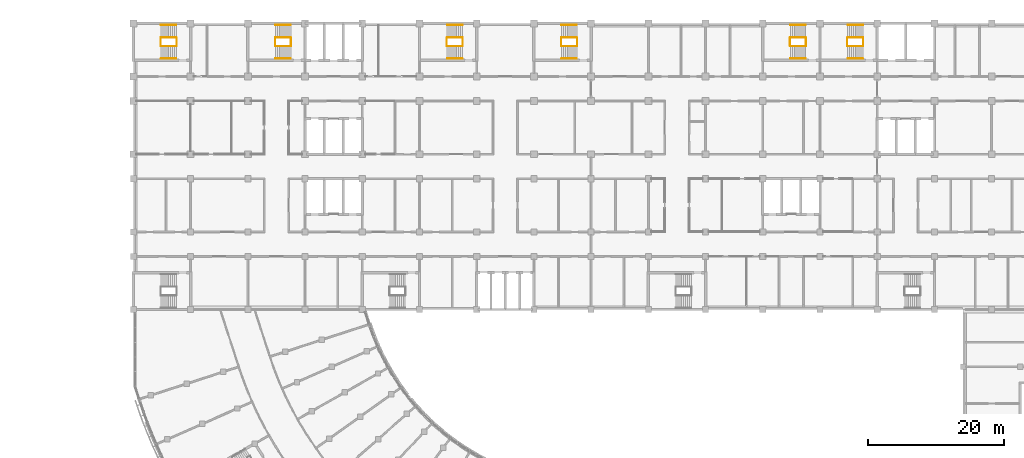
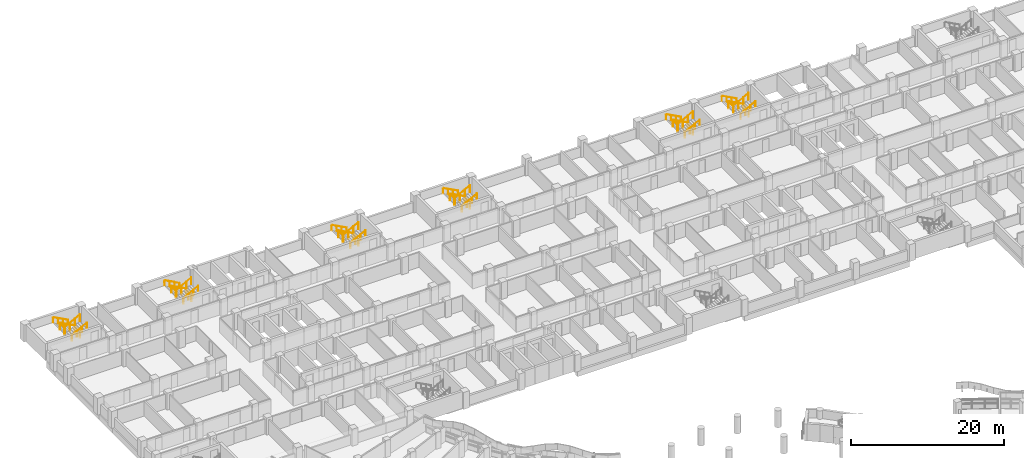
# One storey, part 88 of 89: 36 railings.
"""IFC4 building model written with IfcOpenShell, lengths in metres."""

from ifc_helpers import new_model, si_unit, direction, frame, origin, origin_2d, place, context, subcontext, project, spatial, circle, extrude, material, type_object, element, save


model = new_model("IFC4")

# Units and contexts
model_context = context("Model", 3, precision=1e-05, world=origin(), true_north=direction((0.0, 1.0)))
body_context = subcontext(model_context, "Body", "Model", "MODEL_VIEW")
ifc_project = project(units=[si_unit("LENGTHUNIT", "METRE"), si_unit("AREAUNIT", "SQUARE_METRE"), si_unit("VOLUMEUNIT", "CUBIC_METRE"), si_unit("PLANEANGLEUNIT", "RADIAN"), si_unit("MASSUNIT", "GRAM", prefix="KILO")], contexts=[model_context])

# Site, building, storey
site_placement = place(None, origin())
site = spatial("IfcSite", under=ifc_project, at=site_placement, CompositionType="ELEMENT")
building_placement = place(site_placement, origin())
building = spatial("IfcBuilding", under=site, at=building_placement, Name="Bougainvillea Quay General Hospital", CompositionType="ELEMENT")
storey_placement = place(building_placement, frame((0.0, 0.0, 9.89990234375)))
storey = spatial("IfcBuildingStorey", under=building, at=storey_placement, Name="L01M", CompositionType="ELEMENT", Elevation=9.89990234375)

# Railings
ifc_material_1 = material(Name="Stainless steel 304 balustrade", Category="steel")
railing_type_1 = type_object("IfcRailingType", Name="Stair guard 1100", PredefinedType="GUARDRAIL", material=ifc_material_1)
railing_1_placement = place(storey_placement, frame((65.10009765625, 157.550048828125, 0.150146484375)))
element("IfcRailing", 1, at=railing_1_placement, inside=storey, type_object=railing_type_1, Name="L01M ST-D1 stair guard 1", PredefinedType="GUARDRAIL", context=body_context, shape_type="SweptSolid", body=[
    extrude(circle(Radius=0.02392578125, at=origin_2d()), frame((0.0, 0.0, 1.076171875), z_axis=(-0.881487111273, 0.0, 0.472208081951), x_axis=(0.0, -1.0, 0.0)), (0.0, 0.0, 1.0), 2.541259765625),
    extrude(circle(Radius=0.02099609375, at=origin_2d()), origin(), (0.0, 0.0, 1.0), 1.052001953125),
    extrude(circle(Radius=0.02099609375, at=origin_2d()), frame((-0.74658203125, 0.0, 0.39990234375)), (0.0, 0.0, 1.0), 1.052001953125),
    extrude(circle(Radius=0.02099609375, at=origin_2d()), frame((-1.493408203125, 0.0, 0.800048828125)), (0.0, 0.0, 1.0), 1.052001953125),
    extrude(circle(Radius=0.02099609375, at=origin_2d()), frame((-2.239990234375, 0.0, 1.199951171875)), (0.0, 0.0, 1.0), 1.052001953125),
])
railing_2_placement = place(storey_placement, frame((62.81005859375, 157.5, 1.35009765625)))
element("IfcRailing", 2, at=railing_2_placement, inside=storey, type_object=railing_type_1, Name="L01M ST-D1 stair guard 2", PredefinedType="GUARDRAIL", context=body_context, shape_type="SweptSolid", body=[
    extrude(circle(Radius=0.02392578125, at=origin_2d()), frame((0.0, 0.0, 1.076171875), z_axis=(0.0, -1.0, 0.0), x_axis=(1.0, 0.0, 0.0)), (0.0, 0.0, 1.0), 1.199951171875),
    extrude(circle(Radius=0.02099609375, at=origin_2d()), origin(), (0.0, 0.0, 1.0), 1.052001953125),
    extrude(circle(Radius=0.02099609375, at=origin_2d()), frame((0.0, -1.199951171875, 0.0)), (0.0, 0.0, 1.0), 1.052001953125),
])
railing_3_placement = place(storey_placement, frame((62.860107421875, 156.25, 1.5)))
element("IfcRailing", 3, at=railing_3_placement, inside=storey, type_object=railing_type_1, Name="L01M ST-D1 stair guard 3", PredefinedType="GUARDRAIL", context=body_context, shape_type="SweptSolid", body=[
    extrude(circle(Radius=0.02392578125, at=origin_2d()), frame((0.0, 0.0, 1.076171875), z_axis=(0.881447119201, 0.0, 0.472282728937), x_axis=(0.0, 1.0, 0.0)), (0.0, 0.0, 1.0), 2.541259765625),
    extrude(circle(Radius=0.02099609375, at=origin_2d()), origin(), (0.0, 0.0, 1.0), 1.052001953125),
    extrude(circle(Radius=0.02099609375, at=origin_2d()), frame((0.74658203125, 0.0, 0.400146484375)), (0.0, 0.0, 1.0), 1.052001953125),
    extrude(circle(Radius=0.02099609375, at=origin_2d()), frame((1.493408203125, 0.0, 0.800048828125)), (0.0, 0.0, 1.0), 1.052001953125),
    extrude(circle(Radius=0.02099609375, at=origin_2d()), frame((2.239990234375, 0.0, 1.2001953125)), (0.0, 0.0, 1.0), 1.052001953125),
])
railing_4_placement = place(storey_placement, frame((65.14990234375, 157.5, 0.0)))
element("IfcRailing", 4, at=railing_4_placement, inside=storey, type_object=railing_type_1, Name="L01M ST-D1 stair guard 4", PredefinedType="GUARDRAIL", context=body_context, shape_type="SweptSolid", body=[
    extrude(circle(Radius=0.02392578125, at=origin_2d()), frame((0.0, 0.0, 1.076171875), z_axis=(0.0, -1.0, 0.0), x_axis=(1.0, 0.0, 0.0)), (0.0, 0.0, 1.0), 1.199951171875),
    extrude(circle(Radius=0.02099609375, at=origin_2d()), origin(), (0.0, 0.0, 1.0), 1.052001953125),
    extrude(circle(Radius=0.02099609375, at=origin_2d()), frame((0.0, -1.199951171875, 0.0)), (0.0, 0.0, 1.0), 1.052001953125),
])
railing_5_placement = place(storey_placement, frame((149.10009765625, 157.550048828125, 0.150146484375)))
element("IfcRailing", 5, at=railing_5_placement, inside=storey, type_object=railing_type_1, Name="L01M ST-D3 stair guard 1", PredefinedType="GUARDRAIL", context=body_context, shape_type="SweptSolid", body=[
    extrude(circle(Radius=0.02392578125, at=origin_2d()), frame((0.0, 0.0, 1.076171875), z_axis=(-0.881487111273, 0.0, 0.472208081951), x_axis=(0.0, -1.0, 0.0)), (0.0, 0.0, 1.0), 2.541259765625),
    extrude(circle(Radius=0.02099609375, at=origin_2d()), origin(), (0.0, 0.0, 1.0), 1.052001953125),
    extrude(circle(Radius=0.02099609375, at=origin_2d()), frame((-0.74658203125, 0.0, 0.39990234375)), (0.0, 0.0, 1.0), 1.052001953125),
    extrude(circle(Radius=0.02099609375, at=origin_2d()), frame((-1.493408203125, 0.0, 0.800048828125)), (0.0, 0.0, 1.0), 1.052001953125),
    extrude(circle(Radius=0.02099609375, at=origin_2d()), frame((-2.239990234375, 0.0, 1.199951171875)), (0.0, 0.0, 1.0), 1.052001953125),
])
railing_6_placement = place(storey_placement, frame((146.81005859375, 157.5, 1.35009765625)))
element("IfcRailing", 6, at=railing_6_placement, inside=storey, type_object=railing_type_1, Name="L01M ST-D3 stair guard 2", PredefinedType="GUARDRAIL", context=body_context, shape_type="SweptSolid", body=[
    extrude(circle(Radius=0.02392578125, at=origin_2d()), frame((0.0, 0.0, 1.076171875), z_axis=(0.0, -1.0, 0.0), x_axis=(1.0, 0.0, 0.0)), (0.0, 0.0, 1.0), 1.199951171875),
    extrude(circle(Radius=0.02099609375, at=origin_2d()), origin(), (0.0, 0.0, 1.0), 1.052001953125),
    extrude(circle(Radius=0.02099609375, at=origin_2d()), frame((0.0, -1.199951171875, 0.0)), (0.0, 0.0, 1.0), 1.052001953125),
])
railing_7_placement = place(storey_placement, frame((146.860107421875, 156.25, 1.5)))
element("IfcRailing", 7, at=railing_7_placement, inside=storey, type_object=railing_type_1, Name="L01M ST-D3 stair guard 3", PredefinedType="GUARDRAIL", context=body_context, shape_type="SweptSolid", body=[
    extrude(circle(Radius=0.02392578125, at=origin_2d()), frame((0.0, 0.0, 1.076171875), z_axis=(0.881447119201, 0.0, 0.472282728937), x_axis=(0.0, 1.0, 0.0)), (0.0, 0.0, 1.0), 2.541259765625),
    extrude(circle(Radius=0.02099609375, at=origin_2d()), origin(), (0.0, 0.0, 1.0), 1.052001953125),
    extrude(circle(Radius=0.02099609375, at=origin_2d()), frame((0.74658203125, 0.0, 0.400146484375)), (0.0, 0.0, 1.0), 1.052001953125),
    extrude(circle(Radius=0.02099609375, at=origin_2d()), frame((1.493408203125, 0.0, 0.800048828125)), (0.0, 0.0, 1.0), 1.052001953125),
    extrude(circle(Radius=0.02099609375, at=origin_2d()), frame((2.239990234375, 0.0, 1.2001953125)), (0.0, 0.0, 1.0), 1.052001953125),
])
railing_8_placement = place(storey_placement, frame((149.14990234375, 157.5, 0.0)))
element("IfcRailing", 8, at=railing_8_placement, inside=storey, type_object=railing_type_1, Name="L01M ST-D3 stair guard 4", PredefinedType="GUARDRAIL", context=body_context, shape_type="SweptSolid", body=[
    extrude(circle(Radius=0.02392578125, at=origin_2d()), frame((0.0, 0.0, 1.076171875), z_axis=(0.0, -1.0, 0.0), x_axis=(1.0, 0.0, 0.0)), (0.0, 0.0, 1.0), 1.199951171875),
    extrude(circle(Radius=0.02099609375, at=origin_2d()), origin(), (0.0, 0.0, 1.0), 1.052001953125),
    extrude(circle(Radius=0.02099609375, at=origin_2d()), frame((0.0, -1.199951171875, 0.0)), (0.0, 0.0, 1.0), 1.052001953125),
])
railing_9_placement = place(storey_placement, frame((48.300048828125, 157.550048828125, 0.150146484375)))
element("IfcRailing", 9, at=railing_9_placement, inside=storey, type_object=railing_type_1, Name="L01M ST-A1 stair guard 1", PredefinedType="GUARDRAIL", context=body_context, shape_type="SweptSolid", body=[
    extrude(circle(Radius=0.02392578125, at=origin_2d()), frame((0.0, 0.0, 1.076171875), z_axis=(-0.881487111273, 0.0, 0.472208081951), x_axis=(0.0, -1.0, 0.0)), (0.0, 0.0, 1.0), 2.541259765625),
    extrude(circle(Radius=0.02099609375, at=origin_2d()), origin(), (0.0, 0.0, 1.0), 1.052001953125),
    extrude(circle(Radius=0.02099609375, at=origin_2d()), frame((-0.74658203125, 0.0, 0.39990234375)), (0.0, 0.0, 1.0), 1.052001953125),
    extrude(circle(Radius=0.02099609375, at=origin_2d()), frame((-1.493408203125, 0.0, 0.800048828125)), (0.0, 0.0, 1.0), 1.052001953125),
    extrude(circle(Radius=0.02099609375, at=origin_2d()), frame((-2.239990234375, 0.0, 1.199951171875)), (0.0, 0.0, 1.0), 1.052001953125),
])
railing_10_placement = place(storey_placement, frame((46.010009765625, 157.5, 1.35009765625)))
element("IfcRailing", 10, at=railing_10_placement, inside=storey, type_object=railing_type_1, Name="L01M ST-A1 stair guard 2", PredefinedType="GUARDRAIL", context=body_context, shape_type="SweptSolid", body=[
    extrude(circle(Radius=0.02392578125, at=origin_2d()), frame((0.0, 0.0, 1.076171875), z_axis=(0.0, -1.0, 0.0), x_axis=(1.0, 0.0, 0.0)), (0.0, 0.0, 1.0), 1.199951171875),
    extrude(circle(Radius=0.02099609375, at=origin_2d()), origin(), (0.0, 0.0, 1.0), 1.052001953125),
    extrude(circle(Radius=0.02099609375, at=origin_2d()), frame((0.0, -1.199951171875, 0.0)), (0.0, 0.0, 1.0), 1.052001953125),
])
railing_11_placement = place(storey_placement, frame((46.06005859375, 156.25, 1.5)))
element("IfcRailing", 11, at=railing_11_placement, inside=storey, type_object=railing_type_1, Name="L01M ST-A1 stair guard 3", PredefinedType="GUARDRAIL", context=body_context, shape_type="SweptSolid", body=[
    extrude(circle(Radius=0.02392578125, at=origin_2d()), frame((0.0, 0.0, 1.076171875), z_axis=(0.881447119201, 0.0, 0.472282728937), x_axis=(0.0, 1.0, 0.0)), (0.0, 0.0, 1.0), 2.541259765625),
    extrude(circle(Radius=0.02099609375, at=origin_2d()), origin(), (0.0, 0.0, 1.0), 1.052001953125),
    extrude(circle(Radius=0.02099609375, at=origin_2d()), frame((0.74658203125, 0.0, 0.400146484375)), (0.0, 0.0, 1.0), 1.052001953125),
    extrude(circle(Radius=0.02099609375, at=origin_2d()), frame((1.493408203125, 0.0, 0.800048828125)), (0.0, 0.0, 1.0), 1.052001953125),
    extrude(circle(Radius=0.02099609375, at=origin_2d()), frame((2.239990234375, 0.0, 1.2001953125)), (0.0, 0.0, 1.0), 1.052001953125),
])
railing_12_placement = place(storey_placement, frame((48.35009765625, 157.5, 0.0)))
element("IfcRailing", 12, at=railing_12_placement, inside=storey, type_object=railing_type_1, Name="L01M ST-A1 stair guard 4", PredefinedType="GUARDRAIL", context=body_context, shape_type="SweptSolid", body=[
    extrude(circle(Radius=0.02392578125, at=origin_2d()), frame((0.0, 0.0, 1.076171875), z_axis=(0.0, -1.0, 0.0), x_axis=(1.0, 0.0, 0.0)), (0.0, 0.0, 1.0), 1.199951171875),
    extrude(circle(Radius=0.02099609375, at=origin_2d()), origin(), (0.0, 0.0, 1.0), 1.052001953125),
    extrude(circle(Radius=0.02099609375, at=origin_2d()), frame((0.0, -1.199951171875, 0.0)), (0.0, 0.0, 1.0), 1.052001953125),
])
railing_13_placement = place(storey_placement, frame((90.300048828125, 157.550048828125, 0.150146484375)))
element("IfcRailing", 13, at=railing_13_placement, inside=storey, type_object=railing_type_1, Name="L01M ST-A2 stair guard 1", PredefinedType="GUARDRAIL", context=body_context, shape_type="SweptSolid", body=[
    extrude(circle(Radius=0.02392578125, at=origin_2d()), frame((0.0, 0.0, 1.076171875), z_axis=(-0.881487111273, 0.0, 0.472208081951), x_axis=(0.0, -1.0, 0.0)), (0.0, 0.0, 1.0), 2.541259765625),
    extrude(circle(Radius=0.02099609375, at=origin_2d()), origin(), (0.0, 0.0, 1.0), 1.052001953125),
    extrude(circle(Radius=0.02099609375, at=origin_2d()), frame((-0.74658203125, 0.0, 0.39990234375)), (0.0, 0.0, 1.0), 1.052001953125),
    extrude(circle(Radius=0.02099609375, at=origin_2d()), frame((-1.493408203125, 0.0, 0.800048828125)), (0.0, 0.0, 1.0), 1.052001953125),
    extrude(circle(Radius=0.02099609375, at=origin_2d()), frame((-2.239990234375, 0.0, 1.199951171875)), (0.0, 0.0, 1.0), 1.052001953125),
])
railing_14_placement = place(storey_placement, frame((88.010009765625, 157.5, 1.35009765625)))
element("IfcRailing", 14, at=railing_14_placement, inside=storey, type_object=railing_type_1, Name="L01M ST-A2 stair guard 2", PredefinedType="GUARDRAIL", context=body_context, shape_type="SweptSolid", body=[
    extrude(circle(Radius=0.02392578125, at=origin_2d()), frame((0.0, 0.0, 1.076171875), z_axis=(0.0, -1.0, 0.0), x_axis=(1.0, 0.0, 0.0)), (0.0, 0.0, 1.0), 1.199951171875),
    extrude(circle(Radius=0.02099609375, at=origin_2d()), origin(), (0.0, 0.0, 1.0), 1.052001953125),
    extrude(circle(Radius=0.02099609375, at=origin_2d()), frame((0.0, -1.199951171875, 0.0)), (0.0, 0.0, 1.0), 1.052001953125),
])
railing_15_placement = place(storey_placement, frame((88.06005859375, 156.25, 1.5)))
element("IfcRailing", 15, at=railing_15_placement, inside=storey, type_object=railing_type_1, Name="L01M ST-A2 stair guard 3", PredefinedType="GUARDRAIL", context=body_context, shape_type="SweptSolid", body=[
    extrude(circle(Radius=0.02392578125, at=origin_2d()), frame((0.0, 0.0, 1.076171875), z_axis=(0.881447119201, 0.0, 0.472282728937), x_axis=(0.0, 1.0, 0.0)), (0.0, 0.0, 1.0), 2.541259765625),
    extrude(circle(Radius=0.02099609375, at=origin_2d()), origin(), (0.0, 0.0, 1.0), 1.052001953125),
    extrude(circle(Radius=0.02099609375, at=origin_2d()), frame((0.74658203125, 0.0, 0.400146484375)), (0.0, 0.0, 1.0), 1.052001953125),
    extrude(circle(Radius=0.02099609375, at=origin_2d()), frame((1.493408203125, 0.0, 0.800048828125)), (0.0, 0.0, 1.0), 1.052001953125),
    extrude(circle(Radius=0.02099609375, at=origin_2d()), frame((2.239990234375, 0.0, 1.2001953125)), (0.0, 0.0, 1.0), 1.052001953125),
])
railing_16_placement = place(storey_placement, frame((90.35009765625, 157.5, 0.0)))
element("IfcRailing", 16, at=railing_16_placement, inside=storey, type_object=railing_type_1, Name="L01M ST-A2 stair guard 4", PredefinedType="GUARDRAIL", context=body_context, shape_type="SweptSolid", body=[
    extrude(circle(Radius=0.02392578125, at=origin_2d()), frame((0.0, 0.0, 1.076171875), z_axis=(0.0, -1.0, 0.0), x_axis=(1.0, 0.0, 0.0)), (0.0, 0.0, 1.0), 1.199951171875),
    extrude(circle(Radius=0.02099609375, at=origin_2d()), origin(), (0.0, 0.0, 1.0), 1.052001953125),
    extrude(circle(Radius=0.02099609375, at=origin_2d()), frame((0.0, -1.199951171875, 0.0)), (0.0, 0.0, 1.0), 1.052001953125),
])
railing_17_placement = place(storey_placement, frame((140.699951171875, 157.550048828125, 0.150146484375)))
element("IfcRailing", 17, at=railing_17_placement, inside=storey, type_object=railing_type_1, Name="L01M ST-A3 stair guard 1", PredefinedType="GUARDRAIL", context=body_context, shape_type="SweptSolid", body=[
    extrude(circle(Radius=0.02392578125, at=origin_2d()), frame((0.0, 0.0, 1.076171875), z_axis=(-0.881487111273, 0.0, 0.472208081951), x_axis=(0.0, -1.0, 0.0)), (0.0, 0.0, 1.0), 2.541259765625),
    extrude(circle(Radius=0.02099609375, at=origin_2d()), origin(), (0.0, 0.0, 1.0), 1.052001953125),
    extrude(circle(Radius=0.02099609375, at=origin_2d()), frame((-0.74658203125, 0.0, 0.39990234375)), (0.0, 0.0, 1.0), 1.052001953125),
    extrude(circle(Radius=0.02099609375, at=origin_2d()), frame((-1.493408203125, 0.0, 0.800048828125)), (0.0, 0.0, 1.0), 1.052001953125),
    extrude(circle(Radius=0.02099609375, at=origin_2d()), frame((-2.239990234375, 0.0, 1.199951171875)), (0.0, 0.0, 1.0), 1.052001953125),
])
railing_18_placement = place(storey_placement, frame((138.409912109375, 157.5, 1.35009765625)))
element("IfcRailing", 18, at=railing_18_placement, inside=storey, type_object=railing_type_1, Name="L01M ST-A3 stair guard 2", PredefinedType="GUARDRAIL", context=body_context, shape_type="SweptSolid", body=[
    extrude(circle(Radius=0.02392578125, at=origin_2d()), frame((0.0, 0.0, 1.076171875), z_axis=(0.0, -1.0, 0.0), x_axis=(1.0, 0.0, 0.0)), (0.0, 0.0, 1.0), 1.199951171875),
    extrude(circle(Radius=0.02099609375, at=origin_2d()), origin(), (0.0, 0.0, 1.0), 1.052001953125),
    extrude(circle(Radius=0.02099609375, at=origin_2d()), frame((0.0, -1.199951171875, 0.0)), (0.0, 0.0, 1.0), 1.052001953125),
])
railing_19_placement = place(storey_placement, frame((138.4599609375, 156.25, 1.5)))
element("IfcRailing", 19, at=railing_19_placement, inside=storey, type_object=railing_type_1, Name="L01M ST-A3 stair guard 3", PredefinedType="GUARDRAIL", context=body_context, shape_type="SweptSolid", body=[
    extrude(circle(Radius=0.02392578125, at=origin_2d()), frame((0.0, 0.0, 1.076171875), z_axis=(0.881447119201, 0.0, 0.472282728937), x_axis=(0.0, 1.0, 0.0)), (0.0, 0.0, 1.0), 2.541259765625),
    extrude(circle(Radius=0.02099609375, at=origin_2d()), origin(), (0.0, 0.0, 1.0), 1.052001953125),
    extrude(circle(Radius=0.02099609375, at=origin_2d()), frame((0.74658203125, 0.0, 0.400146484375)), (0.0, 0.0, 1.0), 1.052001953125),
    extrude(circle(Radius=0.02099609375, at=origin_2d()), frame((1.493408203125, 0.0, 0.800048828125)), (0.0, 0.0, 1.0), 1.052001953125),
    extrude(circle(Radius=0.02099609375, at=origin_2d()), frame((2.239990234375, 0.0, 1.2001953125)), (0.0, 0.0, 1.0), 1.052001953125),
])
railing_20_placement = place(storey_placement, frame((140.75, 157.5, 0.0)))
element("IfcRailing", 20, at=railing_20_placement, inside=storey, type_object=railing_type_1, Name="L01M ST-A3 stair guard 4", PredefinedType="GUARDRAIL", context=body_context, shape_type="SweptSolid", body=[
    extrude(circle(Radius=0.02392578125, at=origin_2d()), frame((0.0, 0.0, 1.076171875), z_axis=(0.0, -1.0, 0.0), x_axis=(1.0, 0.0, 0.0)), (0.0, 0.0, 1.0), 1.199951171875),
    extrude(circle(Radius=0.02099609375, at=origin_2d()), origin(), (0.0, 0.0, 1.0), 1.052001953125),
    extrude(circle(Radius=0.02099609375, at=origin_2d()), frame((0.0, -1.199951171875, 0.0)), (0.0, 0.0, 1.0), 1.052001953125),
])
railing_21_placement = place(storey_placement, frame((107.10009765625, 157.550048828125, 0.150146484375)))
element("IfcRailing", 21, at=railing_21_placement, inside=storey, type_object=railing_type_1, Name="L01M ST-A5 stair guard 1", PredefinedType="GUARDRAIL", context=body_context, shape_type="SweptSolid", body=[
    extrude(circle(Radius=0.02392578125, at=origin_2d()), frame((0.0, 0.0, 1.076171875), z_axis=(-0.881487111273, 0.0, 0.472208081951), x_axis=(0.0, -1.0, 0.0)), (0.0, 0.0, 1.0), 2.541259765625),
    extrude(circle(Radius=0.02099609375, at=origin_2d()), origin(), (0.0, 0.0, 1.0), 1.052001953125),
    extrude(circle(Radius=0.02099609375, at=origin_2d()), frame((-0.74658203125, 0.0, 0.39990234375)), (0.0, 0.0, 1.0), 1.052001953125),
    extrude(circle(Radius=0.02099609375, at=origin_2d()), frame((-1.493408203125, 0.0, 0.800048828125)), (0.0, 0.0, 1.0), 1.052001953125),
    extrude(circle(Radius=0.02099609375, at=origin_2d()), frame((-2.239990234375, 0.0, 1.199951171875)), (0.0, 0.0, 1.0), 1.052001953125),
])
railing_22_placement = place(storey_placement, frame((104.81005859375, 157.5, 1.35009765625)))
element("IfcRailing", 22, at=railing_22_placement, inside=storey, type_object=railing_type_1, Name="L01M ST-A5 stair guard 2", PredefinedType="GUARDRAIL", context=body_context, shape_type="SweptSolid", body=[
    extrude(circle(Radius=0.02392578125, at=origin_2d()), frame((0.0, 0.0, 1.076171875), z_axis=(0.0, -1.0, 0.0), x_axis=(1.0, 0.0, 0.0)), (0.0, 0.0, 1.0), 1.199951171875),
    extrude(circle(Radius=0.02099609375, at=origin_2d()), origin(), (0.0, 0.0, 1.0), 1.052001953125),
    extrude(circle(Radius=0.02099609375, at=origin_2d()), frame((0.0, -1.199951171875, 0.0)), (0.0, 0.0, 1.0), 1.052001953125),
])
railing_23_placement = place(storey_placement, frame((104.860107421875, 156.25, 1.5)))
element("IfcRailing", 23, at=railing_23_placement, inside=storey, type_object=railing_type_1, Name="L01M ST-A5 stair guard 3", PredefinedType="GUARDRAIL", context=body_context, shape_type="SweptSolid", body=[
    extrude(circle(Radius=0.02392578125, at=origin_2d()), frame((0.0, 0.0, 1.076171875), z_axis=(0.881447119201, 0.0, 0.472282728937), x_axis=(0.0, 1.0, 0.0)), (0.0, 0.0, 1.0), 2.541259765625),
    extrude(circle(Radius=0.02099609375, at=origin_2d()), origin(), (0.0, 0.0, 1.0), 1.052001953125),
    extrude(circle(Radius=0.02099609375, at=origin_2d()), frame((0.74658203125, 0.0, 0.400146484375)), (0.0, 0.0, 1.0), 1.052001953125),
    extrude(circle(Radius=0.02099609375, at=origin_2d()), frame((1.493408203125, 0.0, 0.800048828125)), (0.0, 0.0, 1.0), 1.052001953125),
    extrude(circle(Radius=0.02099609375, at=origin_2d()), frame((2.239990234375, 0.0, 1.2001953125)), (0.0, 0.0, 1.0), 1.052001953125),
])
railing_24_placement = place(storey_placement, frame((107.14990234375, 157.5, 0.0)))
element("IfcRailing", 24, at=railing_24_placement, inside=storey, type_object=railing_type_1, Name="L01M ST-A5 stair guard 4", PredefinedType="GUARDRAIL", context=body_context, shape_type="SweptSolid", body=[
    extrude(circle(Radius=0.02392578125, at=origin_2d()), frame((0.0, 0.0, 1.076171875), z_axis=(0.0, -1.0, 0.0), x_axis=(1.0, 0.0, 0.0)), (0.0, 0.0, 1.0), 1.199951171875),
    extrude(circle(Radius=0.02099609375, at=origin_2d()), origin(), (0.0, 0.0, 1.0), 1.052001953125),
    extrude(circle(Radius=0.02099609375, at=origin_2d()), frame((0.0, -1.199951171875, 0.0)), (0.0, 0.0, 1.0), 1.052001953125),
])
ifc_material_2 = material(Name="Stainless steel 304 handrail", Category="steel")
railing_type_2 = type_object("IfcRailingType", Name="Stair handrail 900", PredefinedType="HANDRAIL", material=ifc_material_2)
railing_25_placement = place(storey_placement, frame((65.10009765625, 159.375, 0.150146484375)))
element("IfcRailing", 25, at=railing_25_placement, inside=storey, type_object=railing_type_2, Name="L01M ST-D1 stair handrail 1", PredefinedType="HANDRAIL", context=body_context, shape_type="SweptSolid", body=[
    extrude(circle(Radius=0.02392578125, at=origin_2d()), frame((0.0, 0.0, 0.8759765625), z_axis=(-0.881487111273, 0.0, 0.472208081951), x_axis=(0.0, -1.0, 0.0)), (0.0, 0.0, 1.0), 2.541259765625),
    extrude(circle(Radius=0.02099609375, at=origin_2d()), origin(), (0.0, 0.0, 1.0), 0.851806640625),
    extrude(circle(Radius=0.02099609375, at=origin_2d()), frame((-0.74658203125, 0.0, 0.39990234375)), (0.0, 0.0, 1.0), 0.851806640625),
    extrude(circle(Radius=0.02099609375, at=origin_2d()), frame((-1.493408203125, 0.0, 0.800048828125)), (0.0, 0.0, 1.0), 0.851806640625),
    extrude(circle(Radius=0.02099609375, at=origin_2d()), frame((-2.239990234375, 0.0, 1.199951171875)), (0.0, 0.0, 1.0), 0.851806640625),
])
railing_26_placement = place(storey_placement, frame((62.860107421875, 154.425048828125, 1.5)))
element("IfcRailing", 26, at=railing_26_placement, inside=storey, type_object=railing_type_2, Name="L01M ST-D1 stair handrail 2", PredefinedType="HANDRAIL", context=body_context, shape_type="SweptSolid", body=[
    extrude(circle(Radius=0.02392578125, at=origin_2d()), frame((0.0, 0.0, 0.8759765625), z_axis=(0.881447119201, 0.0, 0.472282728937), x_axis=(0.0, 1.0, 0.0)), (0.0, 0.0, 1.0), 2.541259765625),
    extrude(circle(Radius=0.02099609375, at=origin_2d()), origin(), (0.0, 0.0, 1.0), 0.851806640625),
    extrude(circle(Radius=0.02099609375, at=origin_2d()), frame((0.74658203125, 0.0, 0.400146484375)), (0.0, 0.0, 1.0), 0.851806640625),
    extrude(circle(Radius=0.02099609375, at=origin_2d()), frame((1.493408203125, 0.0, 0.800048828125)), (0.0, 0.0, 1.0), 0.851806640625),
    extrude(circle(Radius=0.02099609375, at=origin_2d()), frame((2.239990234375, 0.0, 1.2001953125)), (0.0, 0.0, 1.0), 0.851806640625),
])
railing_27_placement = place(storey_placement, frame((149.10009765625, 159.375, 0.150146484375)))
element("IfcRailing", 27, at=railing_27_placement, inside=storey, type_object=railing_type_2, Name="L01M ST-D3 stair handrail 1", PredefinedType="HANDRAIL", context=body_context, shape_type="SweptSolid", body=[
    extrude(circle(Radius=0.02392578125, at=origin_2d()), frame((0.0, 0.0, 0.8759765625), z_axis=(-0.881487111273, 0.0, 0.472208081951), x_axis=(0.0, -1.0, 0.0)), (0.0, 0.0, 1.0), 2.541259765625),
    extrude(circle(Radius=0.02099609375, at=origin_2d()), origin(), (0.0, 0.0, 1.0), 0.851806640625),
    extrude(circle(Radius=0.02099609375, at=origin_2d()), frame((-0.74658203125, 0.0, 0.39990234375)), (0.0, 0.0, 1.0), 0.851806640625),
    extrude(circle(Radius=0.02099609375, at=origin_2d()), frame((-1.493408203125, 0.0, 0.800048828125)), (0.0, 0.0, 1.0), 0.851806640625),
    extrude(circle(Radius=0.02099609375, at=origin_2d()), frame((-2.239990234375, 0.0, 1.199951171875)), (0.0, 0.0, 1.0), 0.851806640625),
])
railing_28_placement = place(storey_placement, frame((146.860107421875, 154.425048828125, 1.5)))
element("IfcRailing", 28, at=railing_28_placement, inside=storey, type_object=railing_type_2, Name="L01M ST-D3 stair handrail 2", PredefinedType="HANDRAIL", context=body_context, shape_type="SweptSolid", body=[
    extrude(circle(Radius=0.02392578125, at=origin_2d()), frame((0.0, 0.0, 0.8759765625), z_axis=(0.881447119201, 0.0, 0.472282728937), x_axis=(0.0, 1.0, 0.0)), (0.0, 0.0, 1.0), 2.541259765625),
    extrude(circle(Radius=0.02099609375, at=origin_2d()), origin(), (0.0, 0.0, 1.0), 0.851806640625),
    extrude(circle(Radius=0.02099609375, at=origin_2d()), frame((0.74658203125, 0.0, 0.400146484375)), (0.0, 0.0, 1.0), 0.851806640625),
    extrude(circle(Radius=0.02099609375, at=origin_2d()), frame((1.493408203125, 0.0, 0.800048828125)), (0.0, 0.0, 1.0), 0.851806640625),
    extrude(circle(Radius=0.02099609375, at=origin_2d()), frame((2.239990234375, 0.0, 1.2001953125)), (0.0, 0.0, 1.0), 0.851806640625),
])
railing_29_placement = place(storey_placement, frame((48.300048828125, 159.375, 0.150146484375)))
element("IfcRailing", 29, at=railing_29_placement, inside=storey, type_object=railing_type_2, Name="L01M ST-A1 stair handrail 1", PredefinedType="HANDRAIL", context=body_context, shape_type="SweptSolid", body=[
    extrude(circle(Radius=0.02392578125, at=origin_2d()), frame((0.0, 0.0, 0.8759765625), z_axis=(-0.881487111273, 0.0, 0.472208081951), x_axis=(0.0, -1.0, 0.0)), (0.0, 0.0, 1.0), 2.541259765625),
    extrude(circle(Radius=0.02099609375, at=origin_2d()), origin(), (0.0, 0.0, 1.0), 0.851806640625),
    extrude(circle(Radius=0.02099609375, at=origin_2d()), frame((-0.74658203125, 0.0, 0.39990234375)), (0.0, 0.0, 1.0), 0.851806640625),
    extrude(circle(Radius=0.02099609375, at=origin_2d()), frame((-1.493408203125, 0.0, 0.800048828125)), (0.0, 0.0, 1.0), 0.851806640625),
    extrude(circle(Radius=0.02099609375, at=origin_2d()), frame((-2.239990234375, 0.0, 1.199951171875)), (0.0, 0.0, 1.0), 0.851806640625),
])
railing_30_placement = place(storey_placement, frame((46.06005859375, 154.425048828125, 1.5)))
element("IfcRailing", 30, at=railing_30_placement, inside=storey, type_object=railing_type_2, Name="L01M ST-A1 stair handrail 2", PredefinedType="HANDRAIL", context=body_context, shape_type="SweptSolid", body=[
    extrude(circle(Radius=0.02392578125, at=origin_2d()), frame((0.0, 0.0, 0.8759765625), z_axis=(0.881447119201, 0.0, 0.472282728937), x_axis=(0.0, 1.0, 0.0)), (0.0, 0.0, 1.0), 2.541259765625),
    extrude(circle(Radius=0.02099609375, at=origin_2d()), origin(), (0.0, 0.0, 1.0), 0.851806640625),
    extrude(circle(Radius=0.02099609375, at=origin_2d()), frame((0.74658203125, 0.0, 0.400146484375)), (0.0, 0.0, 1.0), 0.851806640625),
    extrude(circle(Radius=0.02099609375, at=origin_2d()), frame((1.493408203125, 0.0, 0.800048828125)), (0.0, 0.0, 1.0), 0.851806640625),
    extrude(circle(Radius=0.02099609375, at=origin_2d()), frame((2.239990234375, 0.0, 1.2001953125)), (0.0, 0.0, 1.0), 0.851806640625),
])
railing_31_placement = place(storey_placement, frame((90.300048828125, 159.375, 0.150146484375)))
element("IfcRailing", 31, at=railing_31_placement, inside=storey, type_object=railing_type_2, Name="L01M ST-A2 stair handrail 1", PredefinedType="HANDRAIL", context=body_context, shape_type="SweptSolid", body=[
    extrude(circle(Radius=0.02392578125, at=origin_2d()), frame((0.0, 0.0, 0.8759765625), z_axis=(-0.881487111273, 0.0, 0.472208081951), x_axis=(0.0, -1.0, 0.0)), (0.0, 0.0, 1.0), 2.541259765625),
    extrude(circle(Radius=0.02099609375, at=origin_2d()), origin(), (0.0, 0.0, 1.0), 0.851806640625),
    extrude(circle(Radius=0.02099609375, at=origin_2d()), frame((-0.74658203125, 0.0, 0.39990234375)), (0.0, 0.0, 1.0), 0.851806640625),
    extrude(circle(Radius=0.02099609375, at=origin_2d()), frame((-1.493408203125, 0.0, 0.800048828125)), (0.0, 0.0, 1.0), 0.851806640625),
    extrude(circle(Radius=0.02099609375, at=origin_2d()), frame((-2.239990234375, 0.0, 1.199951171875)), (0.0, 0.0, 1.0), 0.851806640625),
])
railing_32_placement = place(storey_placement, frame((88.06005859375, 154.425048828125, 1.5)))
element("IfcRailing", 32, at=railing_32_placement, inside=storey, type_object=railing_type_2, Name="L01M ST-A2 stair handrail 2", PredefinedType="HANDRAIL", context=body_context, shape_type="SweptSolid", body=[
    extrude(circle(Radius=0.02392578125, at=origin_2d()), frame((0.0, 0.0, 0.8759765625), z_axis=(0.881447119201, 0.0, 0.472282728937), x_axis=(0.0, 1.0, 0.0)), (0.0, 0.0, 1.0), 2.541259765625),
    extrude(circle(Radius=0.02099609375, at=origin_2d()), origin(), (0.0, 0.0, 1.0), 0.851806640625),
    extrude(circle(Radius=0.02099609375, at=origin_2d()), frame((0.74658203125, 0.0, 0.400146484375)), (0.0, 0.0, 1.0), 0.851806640625),
    extrude(circle(Radius=0.02099609375, at=origin_2d()), frame((1.493408203125, 0.0, 0.800048828125)), (0.0, 0.0, 1.0), 0.851806640625),
    extrude(circle(Radius=0.02099609375, at=origin_2d()), frame((2.239990234375, 0.0, 1.2001953125)), (0.0, 0.0, 1.0), 0.851806640625),
])
railing_33_placement = place(storey_placement, frame((140.699951171875, 159.375, 0.150146484375)))
element("IfcRailing", 33, at=railing_33_placement, inside=storey, type_object=railing_type_2, Name="L01M ST-A3 stair handrail 1", PredefinedType="HANDRAIL", context=body_context, shape_type="SweptSolid", body=[
    extrude(circle(Radius=0.02392578125, at=origin_2d()), frame((0.0, 0.0, 0.8759765625), z_axis=(-0.881487111273, 0.0, 0.472208081951), x_axis=(0.0, -1.0, 0.0)), (0.0, 0.0, 1.0), 2.541259765625),
    extrude(circle(Radius=0.02099609375, at=origin_2d()), origin(), (0.0, 0.0, 1.0), 0.851806640625),
    extrude(circle(Radius=0.02099609375, at=origin_2d()), frame((-0.74658203125, 0.0, 0.39990234375)), (0.0, 0.0, 1.0), 0.851806640625),
    extrude(circle(Radius=0.02099609375, at=origin_2d()), frame((-1.493408203125, 0.0, 0.800048828125)), (0.0, 0.0, 1.0), 0.851806640625),
    extrude(circle(Radius=0.02099609375, at=origin_2d()), frame((-2.239990234375, 0.0, 1.199951171875)), (0.0, 0.0, 1.0), 0.851806640625),
])
railing_34_placement = place(storey_placement, frame((138.4599609375, 154.425048828125, 1.5)))
element("IfcRailing", 34, at=railing_34_placement, inside=storey, type_object=railing_type_2, Name="L01M ST-A3 stair handrail 2", PredefinedType="HANDRAIL", context=body_context, shape_type="SweptSolid", body=[
    extrude(circle(Radius=0.02392578125, at=origin_2d()), frame((0.0, 0.0, 0.8759765625), z_axis=(0.881447119201, 0.0, 0.472282728937), x_axis=(0.0, 1.0, 0.0)), (0.0, 0.0, 1.0), 2.541259765625),
    extrude(circle(Radius=0.02099609375, at=origin_2d()), origin(), (0.0, 0.0, 1.0), 0.851806640625),
    extrude(circle(Radius=0.02099609375, at=origin_2d()), frame((0.74658203125, 0.0, 0.400146484375)), (0.0, 0.0, 1.0), 0.851806640625),
    extrude(circle(Radius=0.02099609375, at=origin_2d()), frame((1.493408203125, 0.0, 0.800048828125)), (0.0, 0.0, 1.0), 0.851806640625),
    extrude(circle(Radius=0.02099609375, at=origin_2d()), frame((2.239990234375, 0.0, 1.2001953125)), (0.0, 0.0, 1.0), 0.851806640625),
])
railing_35_placement = place(storey_placement, frame((107.10009765625, 159.375, 0.150146484375)))
element("IfcRailing", 35, at=railing_35_placement, inside=storey, type_object=railing_type_2, Name="L01M ST-A5 stair handrail 1", PredefinedType="HANDRAIL", context=body_context, shape_type="SweptSolid", body=[
    extrude(circle(Radius=0.02392578125, at=origin_2d()), frame((0.0, 0.0, 0.8759765625), z_axis=(-0.881487111273, 0.0, 0.472208081951), x_axis=(0.0, -1.0, 0.0)), (0.0, 0.0, 1.0), 2.541259765625),
    extrude(circle(Radius=0.02099609375, at=origin_2d()), origin(), (0.0, 0.0, 1.0), 0.851806640625),
    extrude(circle(Radius=0.02099609375, at=origin_2d()), frame((-0.74658203125, 0.0, 0.39990234375)), (0.0, 0.0, 1.0), 0.851806640625),
    extrude(circle(Radius=0.02099609375, at=origin_2d()), frame((-1.493408203125, 0.0, 0.800048828125)), (0.0, 0.0, 1.0), 0.851806640625),
    extrude(circle(Radius=0.02099609375, at=origin_2d()), frame((-2.239990234375, 0.0, 1.199951171875)), (0.0, 0.0, 1.0), 0.851806640625),
])
railing_36_placement = place(storey_placement, frame((104.860107421875, 154.425048828125, 1.5)))
element("IfcRailing", 36, at=railing_36_placement, inside=storey, type_object=railing_type_2, Name="L01M ST-A5 stair handrail 2", PredefinedType="HANDRAIL", context=body_context, shape_type="SweptSolid", body=[
    extrude(circle(Radius=0.02392578125, at=origin_2d()), frame((0.0, 0.0, 0.8759765625), z_axis=(0.881447119201, 0.0, 0.472282728937), x_axis=(0.0, 1.0, 0.0)), (0.0, 0.0, 1.0), 2.541259765625),
    extrude(circle(Radius=0.02099609375, at=origin_2d()), origin(), (0.0, 0.0, 1.0), 0.851806640625),
    extrude(circle(Radius=0.02099609375, at=origin_2d()), frame((0.74658203125, 0.0, 0.400146484375)), (0.0, 0.0, 1.0), 0.851806640625),
    extrude(circle(Radius=0.02099609375, at=origin_2d()), frame((1.493408203125, 0.0, 0.800048828125)), (0.0, 0.0, 1.0), 0.851806640625),
    extrude(circle(Radius=0.02099609375, at=origin_2d()), frame((2.239990234375, 0.0, 1.2001953125)), (0.0, 0.0, 1.0), 0.851806640625),
])

save(model, "model.ifc")
